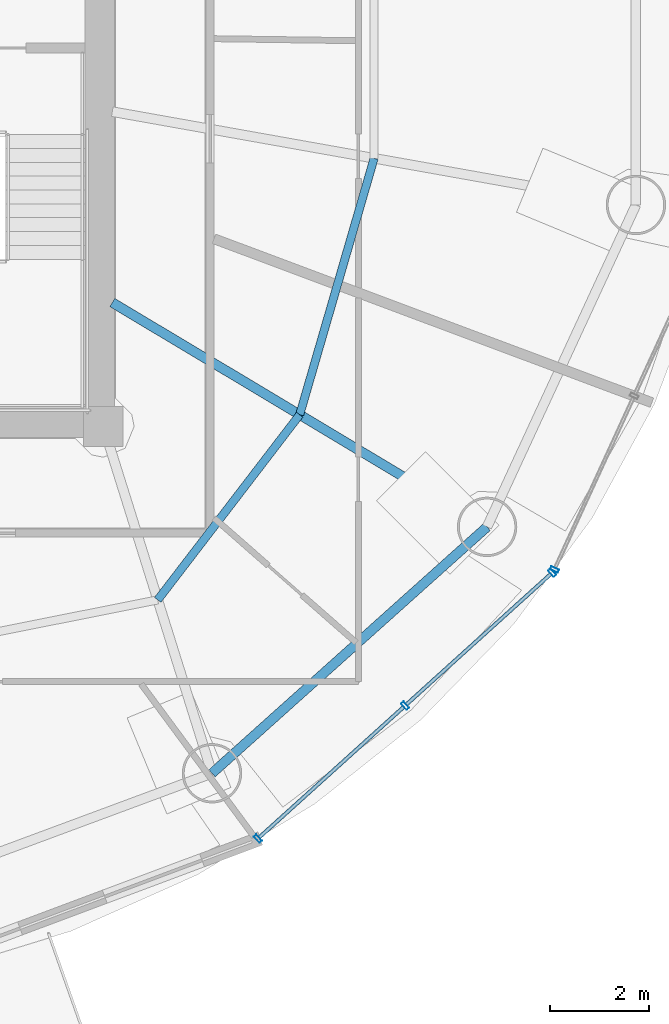
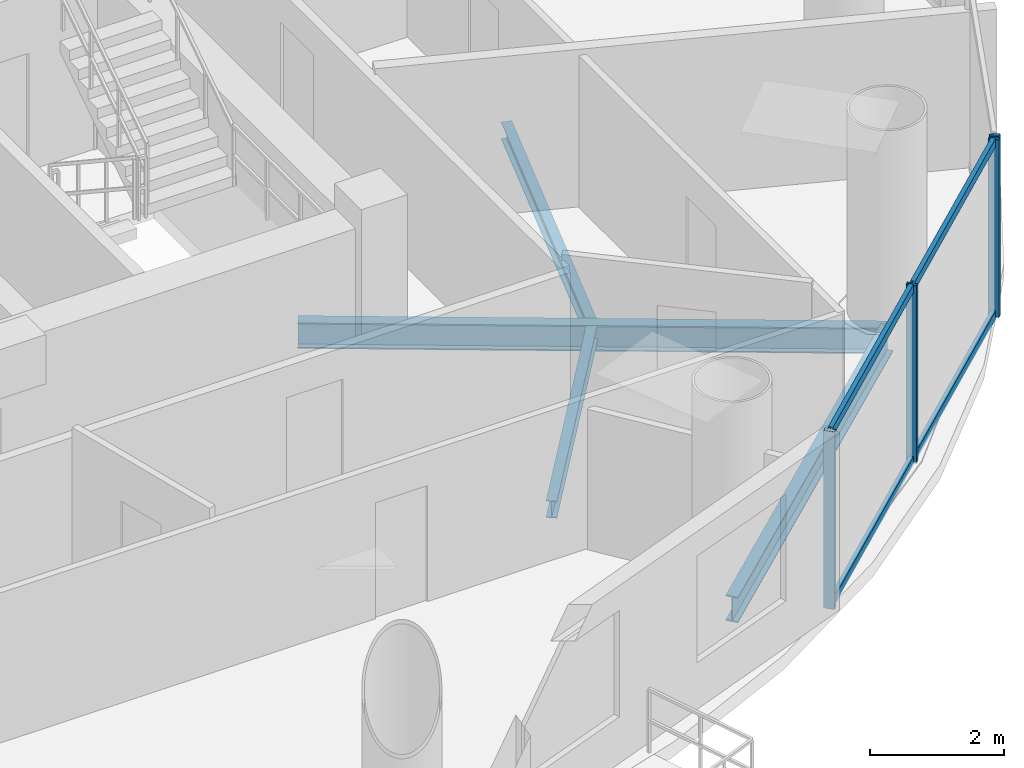
# One storey, part 10 of 26: 8 members, 4 beams, 2 elements without a shape of their own.
"""IFC4 building model written with IfcOpenShell, lengths in metres."""

import ifcopenshell
import ifcopenshell.guid

model = None  # the IFC model being written
_history = None  # IfcOwnerHistory: only IFC2X3 demands one
_inside = {}  # id of a spatial element -> (the spatial element, [elements in it])
_under = {}  # id of a project, library or spatial element -> (it, [spatial elements below it])
_declared = {}  # id of a project -> (the project, [libraries it declares])
_typed = {}  # id of a type object -> (the type object, [elements of that type])
_made_of = {}  # id of a material, layer set ... -> (it, [elements and type objects made of it])


def new_model(schema):
    """Start an empty IFC model of exactly this schema.

    Asked for "IFC4X3", IfcOpenShell would pick the latest addendum, in which some entities
    have other attributes; the version numbers below select the first issue.
    IFC2X3 requires an IfcOwnerHistory on every rooted entity: one is made here for all.
    """
    global model, _history
    if schema == "IFC4X3":
        model = ifcopenshell.file(schema_version=(4, 3, 0, 0))
    else:
        model = ifcopenshell.file(schema=schema)
    _inside.clear()
    _under.clear()
    _declared.clear()
    _typed.clear()
    _made_of.clear()
    _history = None
    if model.schema == "IFC2X3":
        org = make("IfcOrganization", Name="unknown")
        user = make(
            "IfcPersonAndOrganization",
            ThePerson=make("IfcPerson", FamilyName="unknown"),
            TheOrganization=org,
        )
        app = make(
            "IfcApplication",
            ApplicationDeveloper=org,
            Version="unknown",
            ApplicationFullName="unknown",
            ApplicationIdentifier="unknown",
        )
        _history = make(
            "IfcOwnerHistory",
            OwningUser=user,
            OwningApplication=app,
            ChangeAction="ADDED",
            CreationDate=0,
        )
    return model


def make(cls, **values):
    """One entity of the class cls with the attributes given. An attribute that is None is left unset."""
    return model.create_entity(
        cls, **{name: value for name, value in values.items() if value is not None}
    )


def rooted(cls, **values):
    """An entity with a GlobalId (a new one), such as an element, a storey or a relation."""
    return make(cls, GlobalId=ifcopenshell.guid.new(), OwnerHistory=_history, **values)


def si_unit(unit_type, name, prefix=None):
    """IfcSIUnit, for example si_unit("LENGTHUNIT", "METRE", prefix="MILLI")."""
    return make("IfcSIUnit", UnitType=unit_type, Prefix=prefix, Name=name)


def assignment(units):
    """IfcUnitAssignment: the units of a project."""
    return None if units is None else make("IfcUnitAssignment", Units=units)


def point(xyz):
    """IfcCartesianPoint."""
    return None if xyz is None else make("IfcCartesianPoint", Coordinates=xyz)


def direction(xyz):
    """IfcDirection."""
    return None if xyz is None else make("IfcDirection", DirectionRatios=xyz)


def frame(location, z_axis=None, x_axis=None):
    """IfcAxis2Placement3D, a coordinate frame: its origin and axes. An axis left out is left unset."""
    return make(
        "IfcAxis2Placement3D",
        Location=point(location),
        Axis=direction(z_axis),
        RefDirection=direction(x_axis),
    )


def frame_2d(location, x_axis=None):
    """IfcAxis2Placement2D, a coordinate frame in the plane: its origin and x axis."""
    return make(
        "IfcAxis2Placement2D", Location=point(location), RefDirection=direction(x_axis)
    )


def origin():
    """The frame at (0, 0, 0) with its axes left unset."""
    return frame((0.0, 0.0, 0.0))


def origin_2d():
    """The frame at (0, 0) in the plane with its x axis left unset."""
    return frame_2d((0.0, 0.0))


def place(relative_to, where):
    """IfcLocalPlacement: puts the frame where relative to a parent placement (None: the world)."""
    return make(
        "IfcLocalPlacement", PlacementRelTo=relative_to, RelativePlacement=where
    )


def context(
    kind, dimensions, precision=None, world=None, true_north=None, identifier=None
):
    """IfcGeometricRepresentationContext, for example the 3D "Model" context."""
    return make(
        "IfcGeometricRepresentationContext",
        ContextIdentifier=identifier,
        ContextType=kind,
        CoordinateSpaceDimension=dimensions,
        Precision=precision,
        WorldCoordinateSystem=world,
        TrueNorth=true_north,
    )


def subcontext(parent, identifier, kind, view, scale=None):
    """IfcGeometricRepresentationSubContext, for example "Body" below "Model"."""
    return make(
        "IfcGeometricRepresentationSubContext",
        ContextIdentifier=identifier,
        ContextType=kind,
        ParentContext=parent,
        TargetScale=scale,
        TargetView=view,
    )


def project(units=None, contexts=None):
    """IfcProject with its units and contexts."""
    return rooted(
        "IfcProject",
        Name="project",
        RepresentationContexts=contexts,
        UnitsInContext=assignment(units),
    )


def spatial(cls, under=None, at=None, **own):
    """A site, building, storey or space (cls), placed at a placement, below another one or the project."""
    s = rooted(cls, ObjectPlacement=at, **own)
    if under is not None:
        _under.setdefault(under.id(), (under, []))[1].append(s)
    return s


def profile(cls, at=None, kind="AREA", **sizes):
    """A parametric profile (cls). Its sizes go by their IFC names, for example OverallWidth=200.0."""
    return make(cls, ProfileType=kind, Position=at, **sizes)


def hollow_rectangle(**sizes):
    """IfcRectangleHollowProfileDef."""
    return profile("IfcRectangleHollowProfileDef", **sizes)


def i_section(**sizes):
    """IfcIShapeProfileDef."""
    return profile("IfcIShapeProfileDef", **sizes)


def extrude(swept, where, along, depth):
    """IfcExtrudedAreaSolid: the profile swept, set in the frame where, extruded along a direction by depth."""
    return make(
        "IfcExtrudedAreaSolid",
        SweptArea=swept,
        Position=where,
        ExtrudedDirection=direction(along),
        Depth=depth,
    )


def shape(context_of_items, identifier, shape_type, items):
    """IfcShapeRepresentation: the items that make up one representation, for example the "Body"."""
    return make(
        "IfcShapeRepresentation",
        ContextOfItems=context_of_items,
        RepresentationIdentifier=identifier,
        RepresentationType=shape_type,
        Items=items,
    )


def source(mapping_origin, context_of_items, identifier, shape_type, items):
    """IfcRepresentationMap: a shape defined once, which mapped items show again and again."""
    return make(
        "IfcRepresentationMap",
        MappingOrigin=mapping_origin,
        MappedRepresentation=shape(context_of_items, identifier, shape_type, items),
    )


def transform(
    local_origin,
    x_axis=None,
    y_axis=None,
    z_axis=None,
    scale=None,
    scale2=None,
    scale3=None,
    uniform=True,
):
    """IfcCartesianTransformationOperator3D, or its non-uniform kind. x_axis, y_axis, z_axis: its Axis1, 2, 3."""
    if uniform:
        return make(
            "IfcCartesianTransformationOperator3D",
            Axis1=direction(x_axis),
            Axis2=direction(y_axis),
            LocalOrigin=point(local_origin),
            Scale=scale,
            Axis3=direction(z_axis),
        )
    return make(
        "IfcCartesianTransformationOperator3DnonUniform",
        Axis1=direction(x_axis),
        Axis2=direction(y_axis),
        LocalOrigin=point(local_origin),
        Scale=scale,
        Axis3=direction(z_axis),
        Scale2=scale2,
        Scale3=scale3,
    )


def mapped(mapping_source, mapping_target):
    """IfcMappedItem: shows the shape of a source again, moved by a transform."""
    return make(
        "IfcMappedItem", MappingSource=mapping_source, MappingTarget=mapping_target
    )


def material(Name=None, Category=None):
    """IfcMaterial."""
    return make("IfcMaterial", Name=Name, Category=Category)


def material_profile(
    of_material, cross_section, Name=None, Category=None, Priority=None
):
    """IfcMaterialProfile: a cross section and its material."""
    return make(
        "IfcMaterialProfile",
        Name=Name,
        Material=of_material,
        Profile=cross_section,
        Priority=Priority,
        Category=Category,
    )


def profile_set(profiles, Name=None, composite=None):
    """IfcMaterialProfileSet."""
    return make(
        "IfcMaterialProfileSet",
        Name=Name,
        MaterialProfiles=profiles,
        CompositeProfile=composite,
    )


def made_of(thing, what):
    """Note that an element or type object is made of a material, layer set ...; save() writes the relation."""
    if what is not None:
        _made_of.setdefault(what.id(), (what, []))[1].append(thing)
    return thing


def type_object(cls, material=None, **own):
    """A type object (cls), such as IfcWallType, which elements share."""
    return made_of(rooted(cls, **own), material)


def element(
    cls,
    number,
    at=None,
    inside=None,
    cuts=None,
    type_object=None,
    material=None,
    context=None,
    identifier="Body",
    shape_type=None,
    held_by="IfcProductDefinitionShape",
    body=None,
    shapes=None,
    **own,
):
    """One element of the class cls, such as IfcWall. Its Tag is "e" and its number.

    at: its placement. inside: the storey or other place that contains it. cuts: it is an
    opening in that element (IfcRelVoidsElement). A single representation is given by context,
    identifier, shape_type and body (its items); several are given by shapes. held_by: the class
    of the entity that holds the representations. save() writes the other relations.
    """
    e = rooted(cls, Tag="e%d" % number, ObjectPlacement=at, **own)
    if body is not None:
        shapes = [shape(context, identifier, shape_type, body)]
    if shapes is not None:
        e.Representation = make(held_by, Representations=shapes)
    if inside is not None:
        _inside.setdefault(inside.id(), (inside, []))[1].append(e)
    if cuts is not None:
        rooted(
            "IfcRelVoidsElement", RelatingBuildingElement=cuts, RelatedOpeningElement=e
        )
    if type_object is not None:
        _typed.setdefault(type_object.id(), (type_object, []))[1].append(e)
    return made_of(e, material)


def aggregate(whole, parts):
    """IfcRelAggregates: a whole, such as a stair, and the parts it consists of."""
    return rooted("IfcRelAggregates", RelatingObject=whole, RelatedObjects=parts)


def save(model, path):
    """Write the relations noted so far, then the file.

    IfcRelAggregates (storeys below a building ...), IfcRelContainedInSpatialStructure (elements
    in a storey), IfcRelDefinesByType, IfcRelAssociatesMaterial and IfcRelDeclares: one each for
    every whole, place, type object, material and project.
    """
    for whole, parts in _under.values():
        aggregate(whole, parts)
    for where, things in _inside.values():
        rooted(
            "IfcRelContainedInSpatialStructure",
            RelatedElements=things,
            RelatingStructure=where,
        )
    for kind, things in _typed.values():
        rooted("IfcRelDefinesByType", RelatedObjects=things, RelatingType=kind)
    for what, things in _made_of.values():
        rooted("IfcRelAssociatesMaterial", RelatedObjects=things, RelatingMaterial=what)
    for by, libraries in _declared.values():
        rooted("IfcRelDeclares", RelatingContext=by, RelatedDefinitions=libraries)
    model.write(path)


model = new_model("IFC4")

# Units and contexts
model_context = context("Model", 3, precision=1e-05, world=origin(), true_north=direction((-0.2419218956, 0.970295726276)))
body_context = subcontext(model_context, "Body", "Model", "MODEL_VIEW")
ifc_project = project(units=[si_unit("LENGTHUNIT", "METRE"), si_unit("AREAUNIT", "SQUARE_METRE"), si_unit("VOLUMEUNIT", "CUBIC_METRE"), si_unit("PLANEANGLEUNIT", "RADIAN"), si_unit("MASSUNIT", "GRAM", prefix="KILO")], contexts=[model_context])

# Site, building, storey
site_placement = place(None, origin())
site = spatial("IfcSite", under=ifc_project, at=site_placement, CompositionType="ELEMENT")
building_placement = place(site_placement, origin())
building = spatial("IfcBuilding", under=site, at=building_placement, Name="Cobrevalo Terracotta Tower", CompositionType="ELEMENT")
storey_placement = place(building_placement, frame((0.0, 0.0, 239.300048828125)))
storey = spatial("IfcBuildingStorey", under=building, at=storey_placement, Name="L63", CompositionType="ELEMENT", Elevation=239.300048828125)

# Beams
ifc_material_1 = material(Name="Steel S355", Category="steel")
ifc_material_profile_1 = material_profile(ifc_material_1, i_section(OverallWidth=0.194091796875, OverallDepth=0.468994140625, WebThickness=0.011474609375, FlangeThickness=0.0205078125, at=origin_2d()), Name="W 460x106")
ifc_profile_set_1 = profile_set([ifc_material_profile_1], Name="Steel S355")
beam_type_1 = type_object("IfcBeamType", Name="Structural Beam W 460x106 (Steel S355)", PredefinedType="BEAM", material=ifc_profile_set_1)
beam_1_placement = place(storey_placement, frame((54.754150390625, 16.77197265625, -0.49951171875), z_axis=(-0.858046392192, 0.513572184651, 0.0), x_axis=(-0.513572184651, -0.858046392192, 0.0)))
element("IfcBeam", 1, at=beam_1_placement, inside=storey, type_object=beam_type_1, Name="L63 radial floor girder 15", PredefinedType="BEAM", context=body_context, shape_type="SweptSolid", body=[
    extrude(i_section(OverallWidth=0.194091796875, OverallDepth=0.468994140625, WebThickness=0.011474609375, FlangeThickness=0.0205078125, at=origin_2d()), origin(), (0.0, 0.0, 1.0), 8.827392578125),
])
ifc_material_profile_2 = material_profile(ifc_material_1, i_section(OverallWidth=0.1650390625, OverallDepth=0.31005859375, WebThickness=0.005859375, FlangeThickness=0.009765625, at=origin_2d()), Name="W 310x38.7")
ifc_profile_set_2 = profile_set([ifc_material_profile_2], Name="Steel S355")
beam_type_2 = type_object("IfcBeamType", Name="Structural Joist W 310x38.7 (Steel S355)", PredefinedType="JOIST", material=ifc_profile_set_2)
beam_2_placement = place(storey_placement, frame((48.097412109375, 15.2958984375, -0.420166015625), z_axis=(0.608464146296, 0.793581364872, 0.0), x_axis=(-0.793581364872, 0.608464146296, 0.0)))
element("IfcBeam", 2, at=beam_2_placement, inside=storey, type_object=beam_type_2, Name="L63 circumferential secondary floor joist 14", PredefinedType="JOIST", context=body_context, shape_type="SweptSolid", body=[
    extrude(i_section(OverallWidth=0.1650390625, OverallDepth=0.31005859375, WebThickness=0.005859375, FlangeThickness=0.009765625, at=origin_2d()), origin(), (0.0, 0.0, 1.0), 4.716064453125),
])
beam_3_placement = place(storey_placement, frame((50.967041015625, 19.03857421875, -0.420166015625), z_axis=(0.278757705995, 0.960361463902, 0.0), x_axis=(-0.960361463902, 0.278757705995, 0.0)))
element("IfcBeam", 3, at=beam_3_placement, inside=storey, type_object=beam_type_2, Name="L63 circumferential secondary floor joist 15", PredefinedType="JOIST", context=body_context, shape_type="SweptSolid", body=[
    extrude(i_section(OverallWidth=0.1650390625, OverallDepth=0.31005859375, WebThickness=0.005859375, FlangeThickness=0.009765625, at=origin_2d()), origin(), (0.0, 0.0, 1.0), 5.396728515625),
])
ifc_material_profile_3 = material_profile(ifc_material_1, i_section(OverallWidth=0.194091796875, OverallDepth=0.468994140625, WebThickness=0.011474609375, FlangeThickness=0.0205078125, at=origin_2d()), Name="W 460x106")
ifc_profile_set_3 = profile_set([ifc_material_profile_3], Name="Steel S355")
beam_type_3 = type_object("IfcBeamType", Name="Structural Spandrel W 460x106 (Steel S355)", PredefinedType="SPANDREL", material=ifc_profile_set_3)
beam_4_placement = place(storey_placement, frame((49.19482421875, 11.7919921875, -0.49951171875), z_axis=(0.744851930997, 0.667229796165, 0.0), x_axis=(-0.667229796165, 0.744851930997, 0.0)))
element("IfcBeam", 4, at=beam_4_placement, inside=storey, type_object=beam_type_3, Name="L63 perimeter ring spandrel 14", PredefinedType="SPANDREL", context=body_context, shape_type="SweptSolid", body=[
    extrude(i_section(OverallWidth=0.194091796875, OverallDepth=0.468994140625, WebThickness=0.011474609375, FlangeThickness=0.0205078125, at=origin_2d()), origin(), (0.0, 0.0, 1.0), 7.463623046875),
])

# Curtain wall, members
ifc_material_2 = material(Name="Anodized aluminium", Category="aluminium")
curtain_wall_type = type_object("IfcCurtainWallType", Name="Mid-tower high-wind unitised curtain wall CW-U2", PredefinedType="NOTDEFINED", material=ifc_material_2)
curtain_wall_1_placement = place(storey_placement, origin())
curtain_wall_1 = element("IfcCurtainWall", 5, at=curtain_wall_1_placement, inside=storey, type_object=curtain_wall_type, Name="L63 curtain wall CW-L63-S14", PredefinedType="NOTDEFINED")
ifc_material_profile_4 = material_profile(ifc_material_2, hollow_rectangle(XDim=0.074951171875, YDim=0.14990234375, WallThickness=0.00439453125, at=origin_2d()), Name="CWT 75x150")
ifc_profile_set_4 = profile_set([ifc_material_profile_4], Name="Anodized aluminium")
member_type_1 = type_object("IfcMemberType", Name="Tower unitised aluminium transom 75x150", PredefinedType="USERDEFINED", material=ifc_profile_set_4)
shared_shape_1 = source(origin(), body_context, "Body", "SweptSolid", [
    extrude(hollow_rectangle(XDim=0.074951171875, YDim=0.14990234375, WallThickness=0.00439453125, at=origin_2d()), origin(), (0.0, 0.0, 1.0), 3.927490234375),
])
member_1_placement = place(storey_placement, frame((53.127685546875, 13.185302734375, 0.050048828125), z_axis=(0.741975952623, 0.670426495396, 0.0), x_axis=(-0.670426495396, 0.741975952623, 0.0)))
member_1 = element("IfcMember", 6, at=member_1_placement, type_object=member_type_1, Name="CW-L63-S14 transom B02-T1", ObjectType="TRANSOM", PredefinedType="USERDEFINED", context=body_context, shape_type="MappedRepresentation", body=[
    mapped(shared_shape_1, transform((0.0, 0.0, 0.0), scale=1.0)),
])
member_2_placement = place(storey_placement, frame((53.127685546875, 13.185302734375, 3.199951171875), z_axis=(0.741975952623, 0.670426495396, 0.0), x_axis=(-0.670426495396, 0.741975952623, 0.0)))
member_2 = element("IfcMember", 7, at=member_2_placement, type_object=member_type_1, Name="CW-L63-S14 transom B02-T2", ObjectType="TRANSOM", PredefinedType="USERDEFINED", context=body_context, shape_type="MappedRepresentation", body=[
    mapped(shared_shape_1, transform((0.0, 0.0, 0.0), scale=1.0)),
])
shared_shape_2 = source(origin(), body_context, "Body", "SweptSolid", [
    extrude(hollow_rectangle(XDim=0.074951171875, YDim=0.14990234375, WallThickness=0.00439453125, at=origin_2d()), origin(), (0.0, 0.0, 1.0), 3.927734375),
])
member_3_placement = place(storey_placement, frame((50.154052734375, 10.49853515625, 0.050048828125), z_axis=(0.742003891138, 0.670395573923, 0.0), x_axis=(-0.670395573923, 0.742003891138, 0.0)))
member_3 = element("IfcMember", 8, at=member_3_placement, type_object=member_type_1, Name="CW-L63-S14 transom B01-T1", ObjectType="TRANSOM", PredefinedType="USERDEFINED", context=body_context, shape_type="MappedRepresentation", body=[
    mapped(shared_shape_2, transform((0.0, 0.0, 0.0), scale=1.0)),
])
member_4_placement = place(storey_placement, frame((50.154052734375, 10.49853515625, 3.199951171875), z_axis=(0.742003891138, 0.670395573923, 0.0), x_axis=(-0.670395573923, 0.742003891138, 0.0)))
member_4 = element("IfcMember", 9, at=member_4_placement, type_object=member_type_1, Name="CW-L63-S14 transom B01-T2", ObjectType="TRANSOM", PredefinedType="USERDEFINED", context=body_context, shape_type="MappedRepresentation", body=[
    mapped(shared_shape_2, transform((0.0, 0.0, 0.0), scale=1.0)),
])
ifc_material_profile_5 = material_profile(ifc_material_2, hollow_rectangle(XDim=0.070068359375, YDim=0.169921875, WallThickness=0.00439453125, at=origin_2d()), Name="CWM 70x170")
ifc_profile_set_5 = profile_set([ifc_material_profile_5], Name="Anodized aluminium")
member_type_2 = type_object("IfcMemberType", Name="Upper tower unitised mullion 70x170", PredefinedType="MULLION", material=ifc_profile_set_5)
shared_shape_3 = source(origin(), body_context, "Body", "SweptSolid", [
    extrude(hollow_rectangle(XDim=0.070068359375, YDim=0.169921875, WallThickness=0.00439453125, at=origin_2d()), origin(), (0.0, 0.0, 1.0), 3.25),
])
member_5_placement = place(storey_placement, frame((50.12451171875, 10.471923828125, 0.0), z_axis=(0.0, 0.0, 1.0), x_axis=(0.741987542015, 0.670413668935, 0.0)))
member_5 = element("IfcMember", 10, at=member_5_placement, type_object=member_type_2, Name="CW-L63-S14 vertical mullion 01", PredefinedType="MULLION", context=body_context, shape_type="MappedRepresentation", body=[
    mapped(shared_shape_3, transform((0.0, 0.0, 0.0), scale=1.0)),
])
member_6_placement = place(storey_placement, frame((53.097900390625, 13.158447265625, 0.0), z_axis=(0.0, 0.0, 1.0), x_axis=(0.741987542015, 0.670413668935, 0.0)))
member_6 = element("IfcMember", 11, at=member_6_placement, type_object=member_type_2, Name="CW-L63-S14 vertical mullion 02", PredefinedType="MULLION", context=body_context, shape_type="MappedRepresentation", body=[
    mapped(shared_shape_3, transform((0.0, 0.0, 0.0), scale=1.0)),
])
member_7_placement = place(storey_placement, frame((56.071533203125, 15.84521484375, 0.0), z_axis=(0.0, 0.0, 1.0), x_axis=(0.741987542015, 0.670413668935, 0.0)))
member_7 = element("IfcMember", 12, at=member_7_placement, type_object=member_type_2, Name="CW-L63-S14 vertical mullion 03", PredefinedType="MULLION", context=body_context, shape_type="MappedRepresentation", body=[
    mapped(shared_shape_3, transform((0.0, 0.0, 0.0), scale=1.0)),
])
aggregate(curtain_wall_1, [member_5, member_6, member_7, member_3, member_4, member_1, member_2])

# Curtain wall, member
curtain_wall_2_placement = place(storey_placement, origin())
curtain_wall_2 = element("IfcCurtainWall", 13, at=curtain_wall_2_placement, inside=storey, type_object=curtain_wall_type, Name="L63 curtain wall CW-L63-S15", PredefinedType="NOTDEFINED")
member_8_placement = place(storey_placement, frame((56.11767578125, 15.908203125, 0.0), z_axis=(0.0, 0.0, 1.0), x_axis=(0.41672507912, 0.909032567311, 0.0)))
member_8 = element("IfcMember", 14, at=member_8_placement, type_object=member_type_2, Name="CW-L63-S15 vertical mullion 01", PredefinedType="MULLION", context=body_context, shape_type="MappedRepresentation", body=[
    mapped(shared_shape_3, transform((0.0, 0.0, 0.0), scale=1.0)),
])
aggregate(curtain_wall_2, [member_8])

save(model, "model.ifc")
